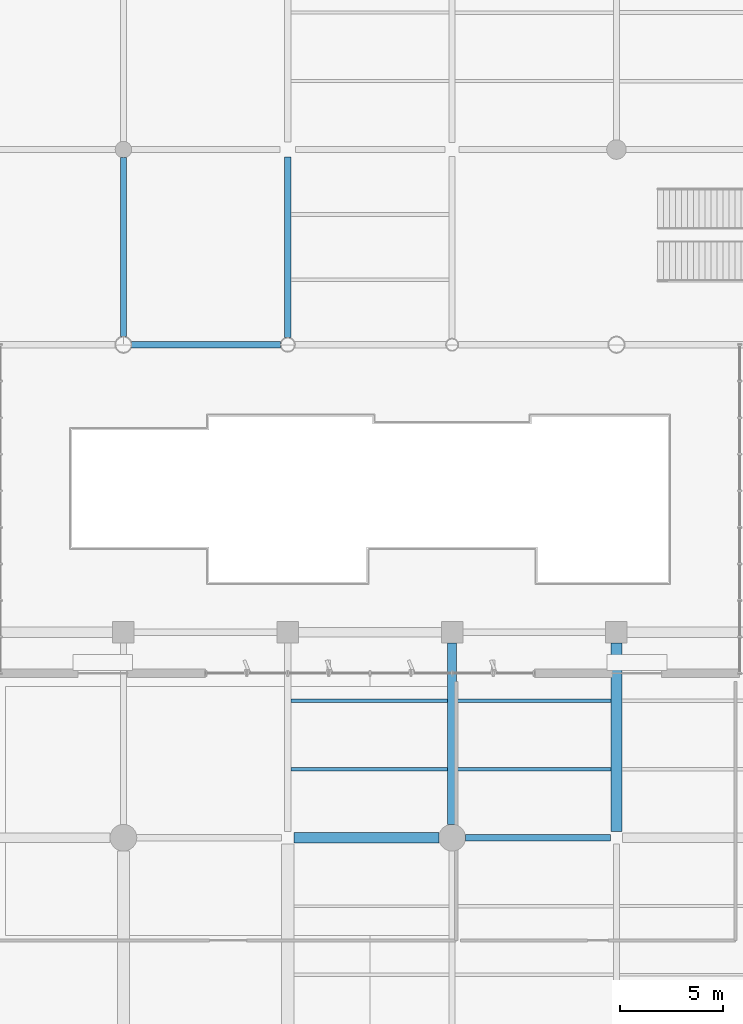
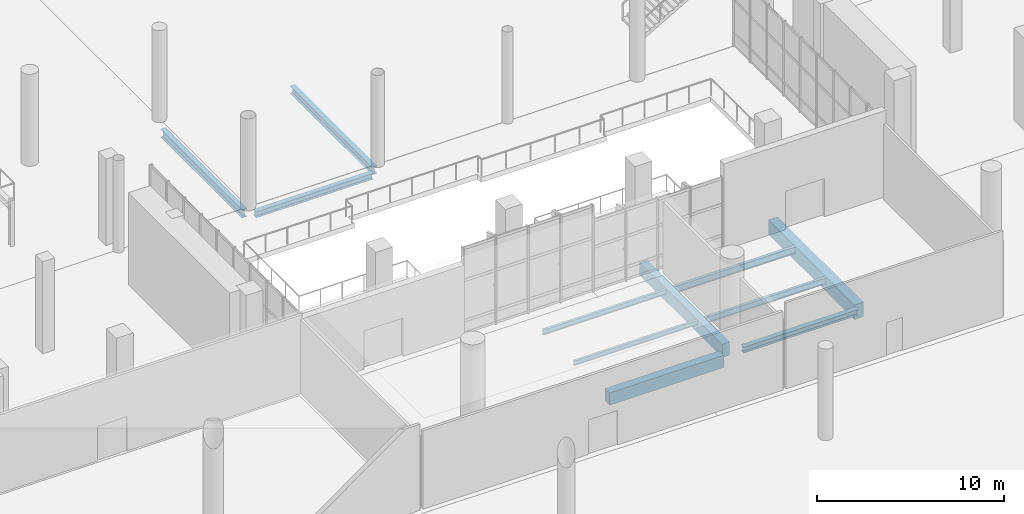
# One storey, part 71 of 163: 11 beams.
"""IFC4 building model written with IfcOpenShell, lengths in metres."""

import ifcopenshell
import ifcopenshell.guid

model = None  # the IFC model being written
_history = None  # IfcOwnerHistory: only IFC2X3 demands one
_inside = {}  # id of a spatial element -> (the spatial element, [elements in it])
_under = {}  # id of a project, library or spatial element -> (it, [spatial elements below it])
_declared = {}  # id of a project -> (the project, [libraries it declares])
_typed = {}  # id of a type object -> (the type object, [elements of that type])
_made_of = {}  # id of a material, layer set ... -> (it, [elements and type objects made of it])


def new_model(schema):
    """Start an empty IFC model of exactly this schema.

    Asked for "IFC4X3", IfcOpenShell would pick the latest addendum, in which some entities
    have other attributes; the version numbers below select the first issue.
    IFC2X3 requires an IfcOwnerHistory on every rooted entity: one is made here for all.
    """
    global model, _history
    if schema == "IFC4X3":
        model = ifcopenshell.file(schema_version=(4, 3, 0, 0))
    else:
        model = ifcopenshell.file(schema=schema)
    _inside.clear()
    _under.clear()
    _declared.clear()
    _typed.clear()
    _made_of.clear()
    _history = None
    if model.schema == "IFC2X3":
        org = make("IfcOrganization", Name="unknown")
        user = make(
            "IfcPersonAndOrganization",
            ThePerson=make("IfcPerson", FamilyName="unknown"),
            TheOrganization=org,
        )
        app = make(
            "IfcApplication",
            ApplicationDeveloper=org,
            Version="unknown",
            ApplicationFullName="unknown",
            ApplicationIdentifier="unknown",
        )
        _history = make(
            "IfcOwnerHistory",
            OwningUser=user,
            OwningApplication=app,
            ChangeAction="ADDED",
            CreationDate=0,
        )
    return model


def make(cls, **values):
    """One entity of the class cls with the attributes given. An attribute that is None is left unset."""
    return model.create_entity(
        cls, **{name: value for name, value in values.items() if value is not None}
    )


def rooted(cls, **values):
    """An entity with a GlobalId (a new one), such as an element, a storey or a relation."""
    return make(cls, GlobalId=ifcopenshell.guid.new(), OwnerHistory=_history, **values)


def si_unit(unit_type, name, prefix=None):
    """IfcSIUnit, for example si_unit("LENGTHUNIT", "METRE", prefix="MILLI")."""
    return make("IfcSIUnit", UnitType=unit_type, Prefix=prefix, Name=name)


def assignment(units):
    """IfcUnitAssignment: the units of a project."""
    return None if units is None else make("IfcUnitAssignment", Units=units)


def point(xyz):
    """IfcCartesianPoint."""
    return None if xyz is None else make("IfcCartesianPoint", Coordinates=xyz)


def direction(xyz):
    """IfcDirection."""
    return None if xyz is None else make("IfcDirection", DirectionRatios=xyz)


def frame(location, z_axis=None, x_axis=None):
    """IfcAxis2Placement3D, a coordinate frame: its origin and axes. An axis left out is left unset."""
    return make(
        "IfcAxis2Placement3D",
        Location=point(location),
        Axis=direction(z_axis),
        RefDirection=direction(x_axis),
    )


def frame_2d(location, x_axis=None):
    """IfcAxis2Placement2D, a coordinate frame in the plane: its origin and x axis."""
    return make(
        "IfcAxis2Placement2D", Location=point(location), RefDirection=direction(x_axis)
    )


def origin():
    """The frame at (0, 0, 0) with its axes left unset."""
    return frame((0.0, 0.0, 0.0))


def origin_2d():
    """The frame at (0, 0) in the plane with its x axis left unset."""
    return frame_2d((0.0, 0.0))


def place(relative_to, where):
    """IfcLocalPlacement: puts the frame where relative to a parent placement (None: the world)."""
    return make(
        "IfcLocalPlacement", PlacementRelTo=relative_to, RelativePlacement=where
    )


def context(
    kind, dimensions, precision=None, world=None, true_north=None, identifier=None
):
    """IfcGeometricRepresentationContext, for example the 3D "Model" context."""
    return make(
        "IfcGeometricRepresentationContext",
        ContextIdentifier=identifier,
        ContextType=kind,
        CoordinateSpaceDimension=dimensions,
        Precision=precision,
        WorldCoordinateSystem=world,
        TrueNorth=true_north,
    )


def subcontext(parent, identifier, kind, view, scale=None):
    """IfcGeometricRepresentationSubContext, for example "Body" below "Model"."""
    return make(
        "IfcGeometricRepresentationSubContext",
        ContextIdentifier=identifier,
        ContextType=kind,
        ParentContext=parent,
        TargetScale=scale,
        TargetView=view,
    )


def project(units=None, contexts=None):
    """IfcProject with its units and contexts."""
    return rooted(
        "IfcProject",
        Name="project",
        RepresentationContexts=contexts,
        UnitsInContext=assignment(units),
    )


def spatial(cls, under=None, at=None, **own):
    """A site, building, storey or space (cls), placed at a placement, below another one or the project."""
    s = rooted(cls, ObjectPlacement=at, **own)
    if under is not None:
        _under.setdefault(under.id(), (under, []))[1].append(s)
    return s


def profile(cls, at=None, kind="AREA", **sizes):
    """A parametric profile (cls). Its sizes go by their IFC names, for example OverallWidth=200.0."""
    return make(cls, ProfileType=kind, Position=at, **sizes)


def rectangle(**sizes):
    """IfcRectangleProfileDef."""
    return profile("IfcRectangleProfileDef", **sizes)


def i_section(**sizes):
    """IfcIShapeProfileDef."""
    return profile("IfcIShapeProfileDef", **sizes)


def extrude(swept, where, along, depth):
    """IfcExtrudedAreaSolid: the profile swept, set in the frame where, extruded along a direction by depth."""
    return make(
        "IfcExtrudedAreaSolid",
        SweptArea=swept,
        Position=where,
        ExtrudedDirection=direction(along),
        Depth=depth,
    )


def shape(context_of_items, identifier, shape_type, items):
    """IfcShapeRepresentation: the items that make up one representation, for example the "Body"."""
    return make(
        "IfcShapeRepresentation",
        ContextOfItems=context_of_items,
        RepresentationIdentifier=identifier,
        RepresentationType=shape_type,
        Items=items,
    )


def material(Name=None, Category=None):
    """IfcMaterial."""
    return make("IfcMaterial", Name=Name, Category=Category)


def material_profile(
    of_material, cross_section, Name=None, Category=None, Priority=None
):
    """IfcMaterialProfile: a cross section and its material."""
    return make(
        "IfcMaterialProfile",
        Name=Name,
        Material=of_material,
        Profile=cross_section,
        Priority=Priority,
        Category=Category,
    )


def profile_set(profiles, Name=None, composite=None):
    """IfcMaterialProfileSet."""
    return make(
        "IfcMaterialProfileSet",
        Name=Name,
        MaterialProfiles=profiles,
        CompositeProfile=composite,
    )


def made_of(thing, what):
    """Note that an element or type object is made of a material, layer set ...; save() writes the relation."""
    if what is not None:
        _made_of.setdefault(what.id(), (what, []))[1].append(thing)
    return thing


def type_object(cls, material=None, **own):
    """A type object (cls), such as IfcWallType, which elements share."""
    return made_of(rooted(cls, **own), material)


def element(
    cls,
    number,
    at=None,
    inside=None,
    cuts=None,
    type_object=None,
    material=None,
    context=None,
    identifier="Body",
    shape_type=None,
    held_by="IfcProductDefinitionShape",
    body=None,
    shapes=None,
    **own,
):
    """One element of the class cls, such as IfcWall. Its Tag is "e" and its number.

    at: its placement. inside: the storey or other place that contains it. cuts: it is an
    opening in that element (IfcRelVoidsElement). A single representation is given by context,
    identifier, shape_type and body (its items); several are given by shapes. held_by: the class
    of the entity that holds the representations. save() writes the other relations.
    """
    e = rooted(cls, Tag="e%d" % number, ObjectPlacement=at, **own)
    if body is not None:
        shapes = [shape(context, identifier, shape_type, body)]
    if shapes is not None:
        e.Representation = make(held_by, Representations=shapes)
    if inside is not None:
        _inside.setdefault(inside.id(), (inside, []))[1].append(e)
    if cuts is not None:
        rooted(
            "IfcRelVoidsElement", RelatingBuildingElement=cuts, RelatedOpeningElement=e
        )
    if type_object is not None:
        _typed.setdefault(type_object.id(), (type_object, []))[1].append(e)
    return made_of(e, material)


def aggregate(whole, parts):
    """IfcRelAggregates: a whole, such as a stair, and the parts it consists of."""
    return rooted("IfcRelAggregates", RelatingObject=whole, RelatedObjects=parts)


def save(model, path):
    """Write the relations noted so far, then the file.

    IfcRelAggregates (storeys below a building ...), IfcRelContainedInSpatialStructure (elements
    in a storey), IfcRelDefinesByType, IfcRelAssociatesMaterial and IfcRelDeclares: one each for
    every whole, place, type object, material and project.
    """
    for whole, parts in _under.values():
        aggregate(whole, parts)
    for where, things in _inside.values():
        rooted(
            "IfcRelContainedInSpatialStructure",
            RelatedElements=things,
            RelatingStructure=where,
        )
    for kind, things in _typed.values():
        rooted("IfcRelDefinesByType", RelatedObjects=things, RelatingType=kind)
    for what, things in _made_of.values():
        rooted("IfcRelAssociatesMaterial", RelatedObjects=things, RelatingMaterial=what)
    for by, libraries in _declared.values():
        rooted("IfcRelDeclares", RelatingContext=by, RelatedDefinitions=libraries)
    model.write(path)


model = new_model("IFC4")

# Units and contexts
model_context = context("Model", 3, precision=1e-05, world=origin(), true_north=direction((0.0, 1.0)))
body_context = subcontext(model_context, "Body", "Model", "MODEL_VIEW")
ifc_project = project(units=[si_unit("LENGTHUNIT", "METRE"), si_unit("AREAUNIT", "SQUARE_METRE"), si_unit("VOLUMEUNIT", "CUBIC_METRE"), si_unit("PLANEANGLEUNIT", "RADIAN"), si_unit("MASSUNIT", "GRAM", prefix="KILO")], contexts=[model_context])

# Site, building, storey
site_placement = place(None, origin())
site = spatial("IfcSite", under=ifc_project, at=site_placement, CompositionType="ELEMENT")
building_placement = place(site_placement, origin())
building = spatial("IfcBuilding", under=site, at=building_placement, Name="Khorjan Park Terminus", CompositionType="ELEMENT")
storey_placement = place(building_placement, origin())
storey = spatial("IfcBuildingStorey", under=building, at=storey_placement, Name="L00", CompositionType="ELEMENT", Elevation=0.0)

# Beams
ifc_material_1 = material(Name="Steel S355", Category="steel")
ifc_material_profile_1 = material_profile(ifc_material_1, i_section(OverallWidth=0.3, OverallDepth=0.39, WebThickness=0.011, FlangeThickness=0.019, FilletRadius=0.027, at=origin_2d()), Name="HEA 400")
ifc_profile_set_1 = profile_set([ifc_material_profile_1], Name="Steel S355")
beam_type_1 = type_object("IfcBeamType", Name="BM-HEA400", PredefinedType="BEAM", material=ifc_profile_set_1)
beam_1_placement = place(storey_placement, frame((96.645, 78.0, -0.545), z_axis=(1.0, 0.0, 0.0), x_axis=(0.0, 1.0, 0.0)))
element("IfcBeam", 1, at=beam_1_placement, inside=storey, type_object=beam_type_1, Name="Primary floor girder SB-A40 (L00)", PredefinedType="BEAM", context=body_context, shape_type="SweptSolid", body=[
    extrude(i_section(OverallWidth=0.3, OverallDepth=0.39, WebThickness=0.011, FlangeThickness=0.019, FilletRadius=0.027, at=origin_2d()), origin(), (0.0, 0.0, 1.0), 7.06),
])
beam_2_placement = place(storey_placement, frame((80.4015, 102.0, -0.595), z_axis=(1.0, 0.0, 0.0), x_axis=(0.0, 1.0, 0.0)))
element("IfcBeam", 2, at=beam_2_placement, inside=storey, type_object=beam_type_1, Name="Primary floor girder SB-A40 (L00)", PredefinedType="BEAM", context=body_context, shape_type="SweptSolid", body=[
    extrude(i_section(OverallWidth=0.3, OverallDepth=0.39, WebThickness=0.011, FlangeThickness=0.019, FilletRadius=0.027, at=origin_2d()), origin(), (0.0, 0.0, 1.0), 7.248),
])
ifc_material_profile_2 = material_profile(ifc_material_1, i_section(OverallWidth=0.3, OverallDepth=0.49, WebThickness=0.012, FlangeThickness=0.023, FilletRadius=0.027, at=origin_2d()), Name="HEA 500")
ifc_profile_set_2 = profile_set([ifc_material_profile_2], Name="Steel S355")
beam_type_2 = type_object("IfcBeamType", Name="BM-HEA500", PredefinedType="BEAM", material=ifc_profile_set_2)
beam_3_placement = place(storey_placement, frame((88.0, 102.3505, -0.645), z_axis=(0.0, 1.0, 0.0), x_axis=(-1.0, 0.0, 0.0)))
element("IfcBeam", 3, at=beam_3_placement, inside=storey, type_object=beam_type_2, Name="Primary floor girder SB-A50 (L00)", PredefinedType="BEAM", context=body_context, shape_type="SweptSolid", body=[
    extrude(i_section(OverallWidth=0.3, OverallDepth=0.49, WebThickness=0.012, FlangeThickness=0.023, FilletRadius=0.027, at=origin_2d()), origin(), (0.0, 0.0, 1.0), 8.7795),
])
ifc_material_profile_3 = material_profile(ifc_material_1, i_section(OverallWidth=0.3, OverallDepth=0.54, WebThickness=0.0125, FlangeThickness=0.024, FilletRadius=0.027, at=origin_2d()), Name="HEA 550")
ifc_profile_set_3 = profile_set([ifc_material_profile_3], Name="Steel S355")
beam_type_3 = type_object("IfcBeamType", Name="BM-HEA550", PredefinedType="BEAM", material=ifc_profile_set_3)
beam_4_placement = place(storey_placement, frame((80.0, 102.4015, -0.67), z_axis=(0.0, 1.0, 0.0), x_axis=(-1.0, 0.0, 0.0)))
element("IfcBeam", 4, at=beam_4_placement, inside=storey, type_object=beam_type_3, Name="Primary floor girder SB-A55 (L00)", PredefinedType="BEAM", context=body_context, shape_type="SweptSolid", body=[
    extrude(i_section(OverallWidth=0.3, OverallDepth=0.54, WebThickness=0.0125, FlangeThickness=0.024, FilletRadius=0.027, at=origin_2d()), origin(), (0.0, 0.0, 1.0), 8.7035),
])
ifc_material_2 = material(Name="Concrete C40/50", Category="concrete")
ifc_material_profile_4 = material_profile(ifc_material_2, rectangle(XDim=0.45, YDim=0.85, at=origin_2d()), Name="RC 450x850")
ifc_profile_set_4 = profile_set([ifc_material_profile_4], Name="Concrete C40/50")
beam_type_4 = type_object("IfcBeamType", Name="BM-RC450x850", PredefinedType="BEAM", material=ifc_profile_set_4)
beam_5_placement = place(storey_placement, frame((96.0, 78.645, -0.775), z_axis=(0.0, 1.0, 0.0), x_axis=(-1.0, 0.0, 0.0)))
element("IfcBeam", 5, at=beam_5_placement, inside=storey, type_object=beam_type_4, Name="Primary floor girder GB-85 (L00)", PredefinedType="BEAM", context=body_context, shape_type="SweptSolid", body=[
    extrude(rectangle(XDim=0.45, YDim=0.85, at=origin_2d()), origin(), (0.0, 0.0, 1.0), 8.835),
])
ifc_material_profile_5 = material_profile(ifc_material_2, rectangle(XDim=0.5, YDim=0.8, at=origin_2d()), Name="RC 500x800")
ifc_profile_set_5 = profile_set([ifc_material_profile_5], Name="Concrete C40/50")
beam_type_5 = type_object("IfcBeamType", Name="BM-RC500x800", PredefinedType="BEAM", material=ifc_profile_set_5)
beam_6_placement = place(storey_placement, frame((88.295, 78.0, -0.76), z_axis=(1.0, 0.0, 0.0), x_axis=(0.0, 1.0, 0.0)))
element("IfcBeam", 6, at=beam_6_placement, inside=storey, type_object=beam_type_5, Name="Primary floor girder GB-08 (L00)", PredefinedType="BEAM", context=body_context, shape_type="SweptSolid", body=[
    extrude(rectangle(XDim=0.5, YDim=0.8, at=origin_2d()), origin(), (0.0, 0.0, 1.0), 7.06),
])
ifc_material_profile_6 = material_profile(ifc_material_2, rectangle(XDim=0.55, YDim=0.95, at=origin_2d()), Name="RC 550x950")
ifc_profile_set_6 = profile_set([ifc_material_profile_6], Name="Concrete C40/50")
beam_type_6 = type_object("IfcBeamType", Name="BM-RC550x950", PredefinedType="BEAM", material=ifc_profile_set_6)
beam_7_placement = place(storey_placement, frame((104.0, 78.295, -0.825), z_axis=(0.0, 1.0, 0.0), x_axis=(-1.0, 0.0, 0.0)))
element("IfcBeam", 7, at=beam_7_placement, inside=storey, type_object=beam_type_6, Name="Primary floor girder GB-95 (L00)", PredefinedType="BEAM", context=body_context, shape_type="SweptSolid", body=[
    extrude(rectangle(XDim=0.55, YDim=0.95, at=origin_2d()), origin(), (0.0, 0.0, 1.0), 9.185),
])
ifc_material_profile_7 = material_profile(ifc_material_1, i_section(OverallWidth=0.15, OverallDepth=0.3, WebThickness=0.0071, FlangeThickness=0.0107, FilletRadius=0.015, at=origin_2d()), Name="IPE 300")
ifc_profile_set_7 = profile_set([ifc_material_profile_7], Name="Steel S355")
beam_type_7 = type_object("IfcBeamType", Name="JS-IPE300", PredefinedType="JOIST", material=ifc_profile_set_7)
beam_8_placement = place(storey_placement, frame((88.15, 81.3333, -0.51), z_axis=(1.0, 0.0, 0.0), x_axis=(0.0, 1.0, 0.0)))
element("IfcBeam", 8, at=beam_8_placement, inside=storey, type_object=beam_type_7, Name="Secondary composite floor joist SJ-30 (L00)", PredefinedType="JOIST", context=body_context, shape_type="SweptSolid", body=[
    extrude(i_section(OverallWidth=0.15, OverallDepth=0.3, WebThickness=0.0071, FlangeThickness=0.0107, FilletRadius=0.015, at=origin_2d()), origin(), (0.0, 0.0, 1.0), 7.625),
])
ifc_material_profile_8 = material_profile(ifc_material_1, i_section(OverallWidth=0.16, OverallDepth=0.33, WebThickness=0.0075, FlangeThickness=0.0115, FilletRadius=0.018, at=origin_2d()), Name="IPE 330")
ifc_profile_set_8 = profile_set([ifc_material_profile_8], Name="Steel S355")
beam_type_8 = type_object("IfcBeamType", Name="JS-IPE330", PredefinedType="JOIST", material=ifc_profile_set_8)
beam_9_placement = place(storey_placement, frame((88.15, 84.6667, -0.525), z_axis=(1.0, 0.0, 0.0), x_axis=(0.0, 1.0, 0.0)))
element("IfcBeam", 9, at=beam_9_placement, inside=storey, type_object=beam_type_8, Name="Secondary composite floor joist SJ-33 (L00)", PredefinedType="JOIST", context=body_context, shape_type="SweptSolid", body=[
    extrude(i_section(OverallWidth=0.16, OverallDepth=0.33, WebThickness=0.0075, FlangeThickness=0.0115, FilletRadius=0.018, at=origin_2d()), origin(), (0.0, 0.0, 1.0), 7.625),
])
ifc_material_profile_9 = material_profile(ifc_material_1, i_section(OverallWidth=0.18, OverallDepth=0.4, WebThickness=0.0086, FlangeThickness=0.0135, FilletRadius=0.021, at=origin_2d()), Name="IPE 400")
ifc_profile_set_9 = profile_set([ifc_material_profile_9], Name="Steel S355")
beam_type_9 = type_object("IfcBeamType", Name="JS-IPE400", PredefinedType="JOIST", material=ifc_profile_set_9)
beam_10_placement = place(storey_placement, frame((96.225, 81.3333, -0.55), z_axis=(1.0, 0.0, 0.0), x_axis=(0.0, 1.0, 0.0)))
element("IfcBeam", 10, at=beam_10_placement, inside=storey, type_object=beam_type_9, Name="Secondary composite floor joist SJ-40 (L00)", PredefinedType="JOIST", context=body_context, shape_type="SweptSolid", body=[
    extrude(i_section(OverallWidth=0.18, OverallDepth=0.4, WebThickness=0.0086, FlangeThickness=0.0135, FilletRadius=0.021, at=origin_2d()), origin(), (0.0, 0.0, 1.0), 7.5),
])
ifc_material_profile_10 = material_profile(ifc_material_1, i_section(OverallWidth=0.19, OverallDepth=0.45, WebThickness=0.0094, FlangeThickness=0.0146, FilletRadius=0.021, at=origin_2d()), Name="IPE 450")
ifc_profile_set_10 = profile_set([ifc_material_profile_10], Name="Steel S355")
beam_type_10 = type_object("IfcBeamType", Name="JS-IPE450", PredefinedType="JOIST", material=ifc_profile_set_10)
beam_11_placement = place(storey_placement, frame((96.225, 84.6667, -0.575), z_axis=(1.0, 0.0, 0.0), x_axis=(0.0, 1.0, 0.0)))
element("IfcBeam", 11, at=beam_11_placement, inside=storey, type_object=beam_type_10, Name="Secondary composite floor joist SJ-45 (L00)", PredefinedType="JOIST", context=body_context, shape_type="SweptSolid", body=[
    extrude(i_section(OverallWidth=0.19, OverallDepth=0.45, WebThickness=0.0094, FlangeThickness=0.0146, FilletRadius=0.021, at=origin_2d()), origin(), (0.0, 0.0, 1.0), 7.5),
])

save(model, "model.ifc")
